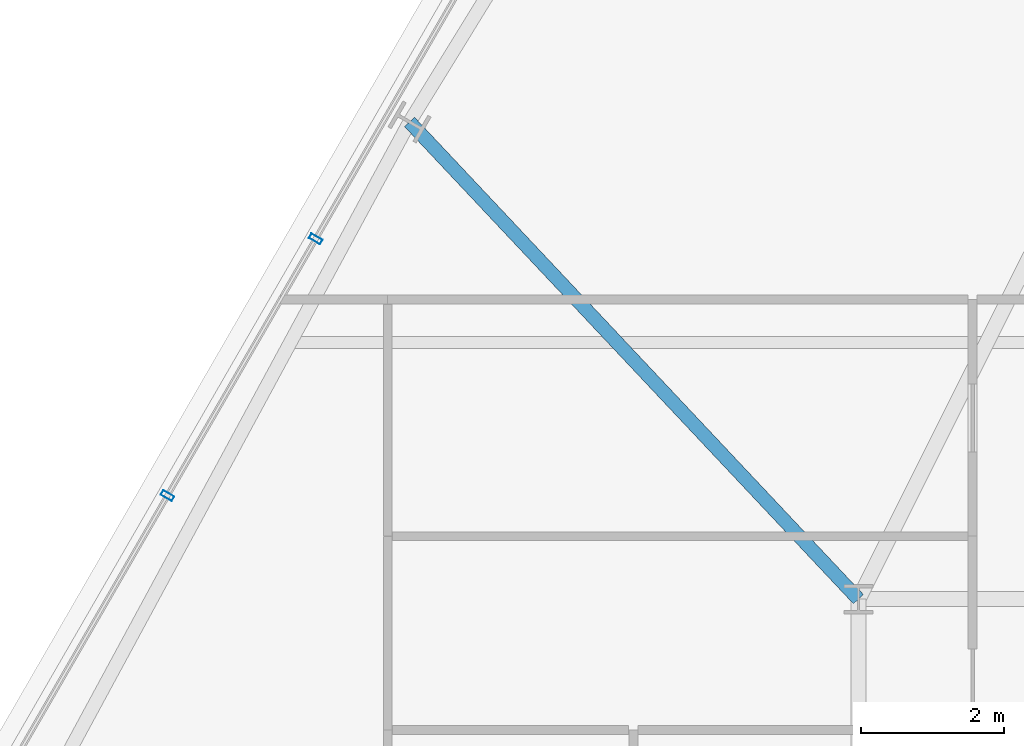
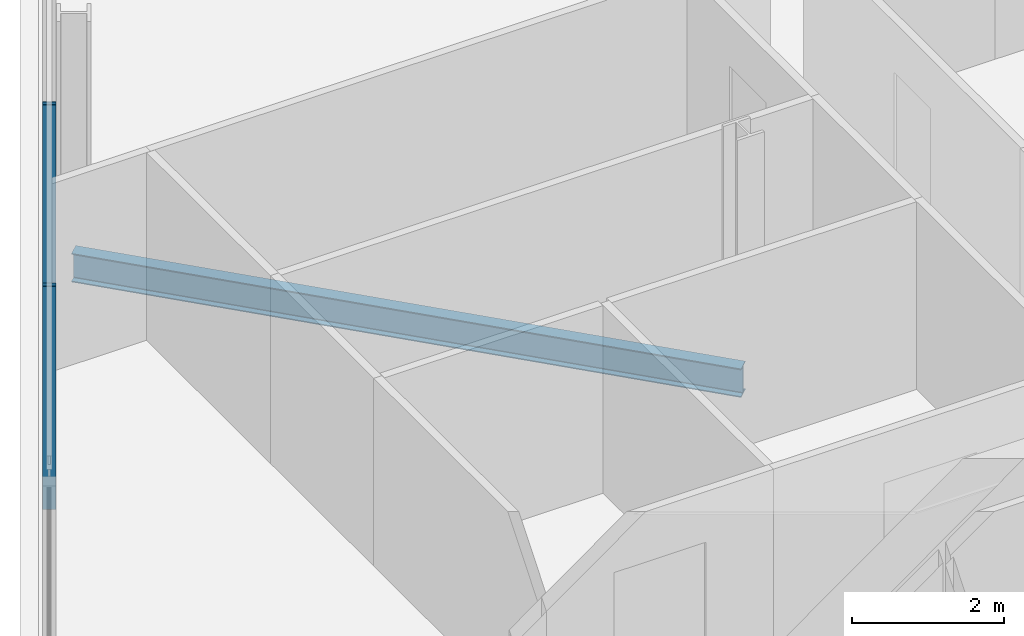
# One storey, part 11 of 35: 2 members, 1 beam, 1 element without a shape of its own.
"""IFC4 building model written with IfcOpenShell, lengths in metres."""

from ifc_helpers import new_model, si_unit, direction, frame, origin, origin_2d, place, context, subcontext, project, spatial, hollow_rectangle, i_section, extrude, material, layer, layer_set, material_profile, profile_set, type_object, element, aggregate, save


model = new_model("IFC4")

# Units and contexts
model_context = context("Model", 3, precision=1e-05, world=origin(), true_north=direction((0.0, 1.0)))
body_context = subcontext(model_context, "Body", "Model", "MODEL_VIEW")
ifc_project = project(units=[si_unit("LENGTHUNIT", "METRE"), si_unit("AREAUNIT", "SQUARE_METRE"), si_unit("VOLUMEUNIT", "CUBIC_METRE"), si_unit("PLANEANGLEUNIT", "RADIAN"), si_unit("MASSUNIT", "GRAM", prefix="KILO")], contexts=[model_context])

# Site, building, storey
site_placement = place(None, origin())
site = spatial("IfcSite", under=ifc_project, at=site_placement, CompositionType="ELEMENT")
building_placement = place(site_placement, origin())
building = spatial("IfcBuilding", under=site, at=building_placement, Name="Ndaravel Arena Tower", CompositionType="ELEMENT")
storey_placement = place(building_placement, frame((0.0, 0.0, 172.60009765625)))
storey = spatial("IfcBuildingStorey", under=building, at=storey_placement, Name="L41", CompositionType="ELEMENT", Elevation=172.60009765625)

# Beam
ifc_material_1 = material(Name="Steel S355", Category="steel")
ifc_material_profile_1 = material_profile(ifc_material_1, i_section(OverallWidth=0.19140625, OverallDepth=0.4599609375, WebThickness=0.010009765625, FlangeThickness=0.01611328125, FilletRadius=0.01025390625, at=origin_2d()), Name="UB 457x191x82")
ifc_profile_set_1 = profile_set([ifc_material_profile_1], Name="Steel S355")
beam_type = type_object("IfcBeamType", Name="BM-GIRD-UB457", PredefinedType="BEAM", material=ifc_profile_set_1)
beam_placement = place(storey_placement, frame((27.906494140625, 29.890380859375, -0.4501953125), z_axis=(0.685167351249, -0.728385681341, 0.0), x_axis=(0.728385681341, 0.685167351249, 0.0)))
element("IfcBeam", 1, at=beam_placement, inside=storey, type_object=beam_type, Name="L41 Radial Floor Girder FG-19", PredefinedType="BEAM", context=body_context, shape_type="SweptSolid", body=[
    extrude(i_section(OverallWidth=0.19140625, OverallDepth=0.4599609375, WebThickness=0.010009765625, FlangeThickness=0.01611328125, FilletRadius=0.01025390625, at=origin_2d()), origin(), (0.0, 0.0, 1.0), 9.185302734375),
])

# Curtain wall, members
ifc_material_2 = material(Name="Aluminium", Category="aluminium")
ifc_layer = layer(ifc_material_2, 0.179931640625)
ifc_layer_set = layer_set([ifc_layer], Name="Aluminium")
curtain_wall_type = type_object("IfcCurtainWallType", Name="CW-SYS-03", PredefinedType="NOTDEFINED", material=ifc_layer_set)
curtain_wall_placement = place(storey_placement, origin())
curtain_wall = element("IfcCurtainWall", 2, at=curtain_wall_placement, inside=storey, type_object=curtain_wall_type, Name="L41 Faceted Crystal Curtain Wall CW-L41-E05", PredefinedType="NOTDEFINED")
ifc_material_3 = material(Name="Aluminium", Category="aluminium")
ifc_material_profile_2 = material_profile(ifc_material_3, hollow_rectangle(XDim=0.074951171875, YDim=0.179931640625, WallThickness=0.00390625, at=origin_2d()), Name="CW MULLION 75x180x4")
ifc_profile_set_2 = profile_set([ifc_material_profile_2], Name="Aluminium")
member_type = type_object("IfcMemberType", Name="MEM-CW-MUL180", PredefinedType="MULLION", material=ifc_profile_set_2)
member_1_placement = place(storey_placement, frame((26.59033203125, 28.250732421875, 0.0), z_axis=(0.0, 0.0, 1.0), x_axis=(-0.5, -0.866025403784, 0.0)))
member_1 = element("IfcMember", 3, at=member_1_placement, type_object=member_type, Name="CW-L41-E05 Mullion 05", PredefinedType="MULLION", context=body_context, shape_type="SweptSolid", body=[
    extrude(hollow_rectangle(XDim=0.074951171875, YDim=0.179931640625, WallThickness=0.00390625, at=origin_2d()), origin(), (0.0, 0.0, 1.0), 3.579833984375),
])
member_2_placement = place(storey_placement, frame((24.51220703125, 24.6513671875, 0.0), z_axis=(0.0, 0.0, 1.0), x_axis=(-0.5, -0.866025403784, 0.0)))
member_2 = element("IfcMember", 4, at=member_2_placement, type_object=member_type, Name="CW-L41-E05 Mullion 06", PredefinedType="MULLION", context=body_context, shape_type="SweptSolid", body=[
    extrude(hollow_rectangle(XDim=0.074951171875, YDim=0.179931640625, WallThickness=0.00390625, at=origin_2d()), origin(), (0.0, 0.0, 1.0), 3.579833984375),
])
aggregate(curtain_wall, [member_1, member_2])

save(model, "model.ifc")
